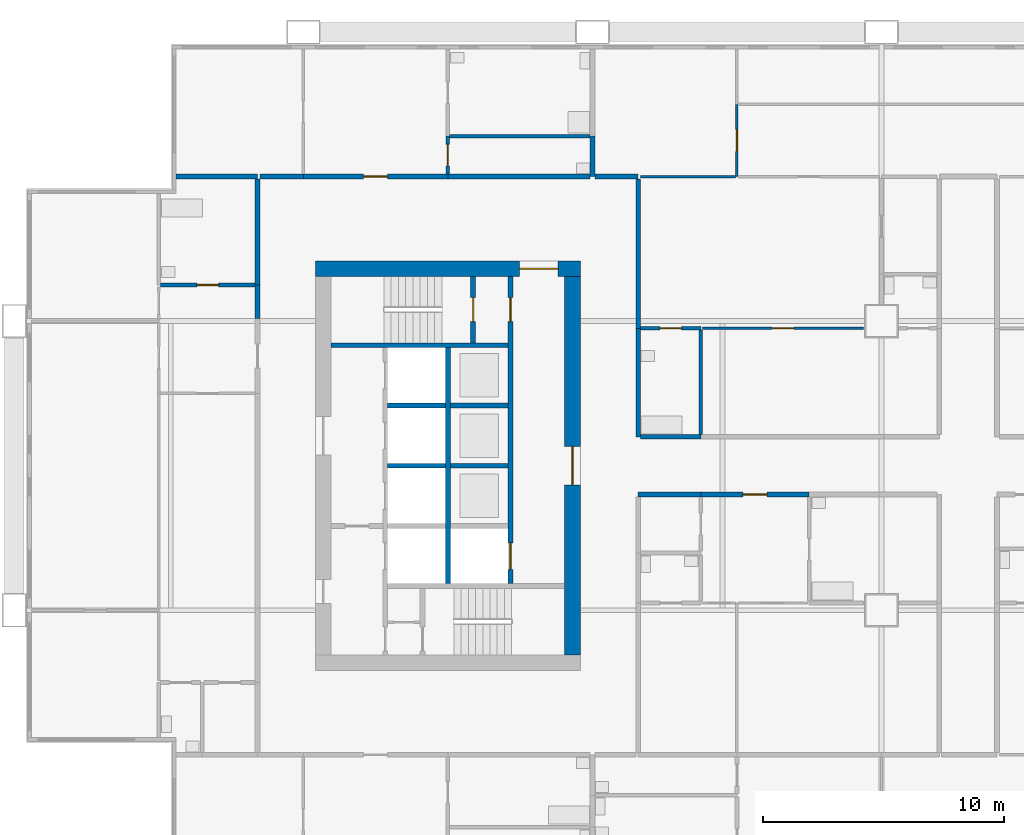
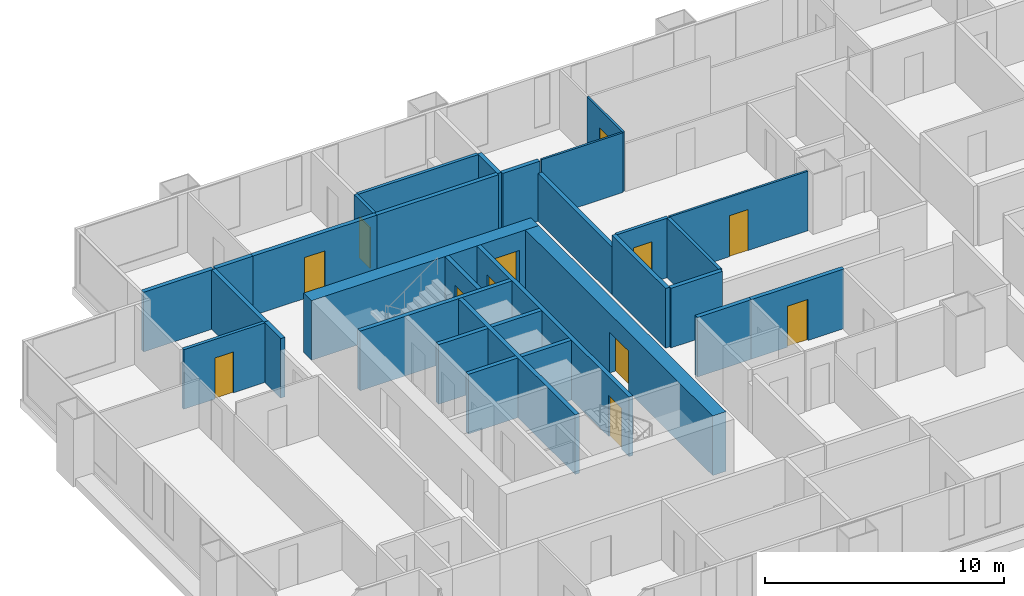
# One storey, part 4 of 13: 31 walls, 12 doors, 12 openings.
"""IFC4 building model written with IfcOpenShell, lengths in metres."""

from ifc_helpers import new_model, si_unit, direction, frame, frame_2d, origin, place, context, subcontext, project, spatial, rectangle, extrude, material, layer, layer_set, type_object, element, fill, save


model = new_model("IFC4")

# Units and contexts
model_context = context("Model", 3, precision=1e-05, world=origin(), true_north=direction((0.0, 1.0)))
body_context = subcontext(model_context, "Body", "Model", "MODEL_VIEW")
ifc_project = project(units=[si_unit("LENGTHUNIT", "METRE"), si_unit("AREAUNIT", "SQUARE_METRE"), si_unit("VOLUMEUNIT", "CUBIC_METRE"), si_unit("PLANEANGLEUNIT", "RADIAN"), si_unit("MASSUNIT", "GRAM", prefix="KILO")], contexts=[model_context])

# Site, building, storey
site_placement = place(None, origin())
site = spatial("IfcSite", under=ifc_project, at=site_placement, CompositionType="ELEMENT")
building_placement = place(site_placement, origin())
building = spatial("IfcBuilding", under=site, at=building_placement, Name="Kitamizu Gate Tower and Museum", CompositionType="ELEMENT")
storey_placement = place(building_placement, frame((0.0, 0.0, 144.89990234375)))
storey = spatial("IfcBuildingStorey", under=building, at=storey_placement, Name="L38", CompositionType="ELEMENT", Elevation=144.89990234375)

# Wall, opening, door
ifc_material_1 = material(Name="Concrete Fc60", Category="concrete")
ifc_layer_1 = layer(ifc_material_1, 0.64990234375)
ifc_layer_set_1 = layer_set([ifc_layer_1], Name="Concrete Fc60")
wall_type_1 = type_object("IfcWallType", Name="Core wall 650", PredefinedType="SHEAR", material=ifc_layer_set_1)
wall_1_placement = place(storey_placement, frame((12.5, 38.175048828125, 0.0), z_axis=(0.0, 0.0, 1.0), x_axis=(1.0, 0.0, 0.0)))
wall_1 = element("IfcWall", 1, at=wall_1_placement, inside=storey, type_object=wall_type_1, Name="Core wall WN", PredefinedType="SHEAR", context=body_context, shape_type="SweptSolid", body=[
    extrude(rectangle(XDim=11.0, YDim=0.64990234375, at=frame_2d((5.5, 0.0))), origin(), (0.0, 0.0, 1.0), 3.050048828125),
])
opening_1_placement = place(wall_1_placement, frame((8.47509765625, 0.0, 0.0)))
opening_1 = element("IfcOpeningElement", 2, at=opening_1_placement, cuts=wall_1, Name="Opening L38-063", PredefinedType="OPENING", context=body_context, shape_type="SweptSolid", body=[
    extrude(rectangle(XDim=1.60009765625, YDim=2.10009765625, at=frame_2d((0.800048828125, 1.050048828125))), frame((0.0, 0.3349609375, 0.0), z_axis=(0.0, -1.0, 0.0), x_axis=(1.0, 0.0, 0.0)), (0.0, 0.0, 1.0), 0.669921875),
])
ifc_material_2 = material(Name="Timber door set", Category="wood")
door_type_1 = type_object("IfcDoorType", Name="Entrance door 1600", OperationType="DOUBLE_DOOR_SINGLE_SWING", PredefinedType="DOOR", material=ifc_material_2)
door_1_placement = place(opening_1_placement, origin())
door_1 = element("IfcDoor", 3, at=door_1_placement, inside=storey, type_object=door_type_1, Name="Lobby door L38-063", OperationType="DOUBLE_DOOR_SINGLE_SWING", OverallHeight=2.10009765625, OverallWidth=1.60009765625, PredefinedType="DOOR", context=body_context, shape_type="SweptSolid", body=[
    extrude(rectangle(XDim=1.60009765625, YDim=2.10009765625, at=frame_2d((0.800048828125, 1.050048828125))), frame((0.0, 0.02490234375, 0.0), z_axis=(0.0, -1.0, 0.0), x_axis=(1.0, 0.0, 0.0)), (0.0, 0.0, 1.0), 0.050048828125),
])
fill(opening_1, door_1)

wall_2_placement = place(storey_placement, frame((23.175048828125, 22.14990234375, 0.0), z_axis=(0.0, 0.0, 1.0), x_axis=(0.0, 1.0, 0.0)))
wall_2 = element("IfcWall", 4, at=wall_2_placement, inside=storey, type_object=wall_type_1, Name="Core wall WARC", PredefinedType="SHEAR", context=body_context, shape_type="SweptSolid", body=[
    extrude(rectangle(XDim=15.7001953125, YDim=0.64990234375, at=frame_2d((7.85009765625, 0.0))), origin(), (0.0, 0.0, 1.0), 3.050048828125),
])
opening_2_placement = place(wall_2_placement, frame((7.050048828125, 0.0, 0.0)))
opening_2 = element("IfcOpeningElement", 5, at=opening_2_placement, cuts=wall_2, Name="Opening L38-064", PredefinedType="OPENING", context=body_context, shape_type="SweptSolid", body=[
    extrude(rectangle(XDim=1.60009765625, YDim=2.10009765625, at=frame_2d((0.800048828125, 1.050048828125))), frame((0.0, 0.3349609375, 0.0), z_axis=(0.0, -1.0, 0.0), x_axis=(1.0, 0.0, 0.0)), (0.0, 0.0, 1.0), 0.669921875),
])
door_2_placement = place(opening_2_placement, origin())
door_2 = element("IfcDoor", 6, at=door_2_placement, inside=storey, type_object=door_type_1, Name="Lobby door L38-064", OperationType="DOUBLE_DOOR_SINGLE_SWING", OverallHeight=2.10009765625, OverallWidth=1.60009765625, PredefinedType="DOOR", context=body_context, shape_type="SweptSolid", body=[
    extrude(rectangle(XDim=1.60009765625, YDim=2.10009765625, at=frame_2d((0.800048828125, 1.050048828125))), frame((0.0, 0.02490234375, 0.0), z_axis=(0.0, -1.0, 0.0), x_axis=(1.0, 0.0, 0.0)), (0.0, 0.0, 1.0), 0.050048828125),
])
fill(opening_2, door_2)

ifc_material_3 = material(Name="Gypsum board on galvanised stud")
ifc_layer_2 = layer(ifc_material_3, 0.10009765625)
ifc_layer_set_2 = layer_set([ifc_layer_2], Name="Gypsum board on galvanised stud")
wall_type_2 = type_object("IfcWallType", Name="Partition 100 NOT RATED", PredefinedType="PARTITIONING", material=ifc_layer_set_2)
wall_3_placement = place(storey_placement, frame((30.0, 42.0, 0.0), z_axis=(0.0, 0.0, 1.0), x_axis=(0.0, 1.0, 0.0)))
wall_3 = element("IfcWall", 7, at=wall_3_placement, inside=storey, type_object=wall_type_2, Name="Partition L38-113", PredefinedType="PARTITIONING", context=body_context, shape_type="SweptSolid", body=[
    extrude(rectangle(XDim=3.0, YDim=0.10009765625, at=frame_2d((1.5, 0.0))), origin(), (0.0, 0.0, 1.0), 3.050048828125),
])
opening_3_placement = place(wall_3_placement, frame((1.050048828125, 0.0, 0.0)))
opening_3 = element("IfcOpeningElement", 8, at=opening_3_placement, cuts=wall_3, Name="Opening L38-048", PredefinedType="OPENING", context=body_context, shape_type="SweptSolid", body=[
    extrude(rectangle(XDim=0.89990234375, YDim=2.10009765625, at=frame_2d((0.449951171875, 1.050048828125))), frame((0.0, 0.06005859375, 0.0), z_axis=(0.0, -1.0, 0.0), x_axis=(1.0, 0.0, 0.0)), (0.0, 0.0, 1.0), 0.1201171875),
])
ifc_material_4 = material(Name="Timber door set", Category="wood")
door_type_2 = type_object("IfcDoorType", Name="Room door 900", OperationType="NOTDEFINED", PredefinedType="DOOR", material=ifc_material_4)
door_3_placement = place(opening_3_placement, origin())
door_3 = element("IfcDoor", 9, at=door_3_placement, inside=storey, type_object=door_type_2, Name="Door L38-048", OperationType="SINGLE_SWING_RIGHT", OverallHeight=2.10009765625, OverallWidth=0.89990234375, PredefinedType="DOOR", context=body_context, shape_type="SweptSolid", body=[
    extrude(rectangle(XDim=0.89990234375, YDim=2.10009765625, at=frame_2d((0.449951171875, 1.050048828125))), frame((0.0, 0.02490234375, 0.0), z_axis=(0.0, -1.0, 0.0), x_axis=(1.0, 0.0, 0.0)), (0.0, 0.0, 1.0), 0.050048828125),
])
fill(opening_3, door_3)

# Wall
wall_4_placement = place(storey_placement, frame((26.0, 42.0, 0.0), z_axis=(0.0, 0.0, 1.0), x_axis=(1.0, 0.0, 0.0)))
element("IfcWall", 10, at=wall_4_placement, inside=storey, type_object=wall_type_2, Name="Partition L38-115", PredefinedType="PARTITIONING", context=body_context, shape_type="SweptSolid", body=[
    extrude(rectangle(XDim=3.949951171875, YDim=0.10009765625, at=frame_2d((1.97509765625, 0.0))), origin(), (0.0, 0.0, 1.0), 3.050048828125),
])

# Wall, opening, door
wall_5_placement = place(storey_placement, frame((28.574951171875, 35.699951171875, 0.0), z_axis=(0.0, 0.0, 1.0), x_axis=(1.0, 0.0, 0.0)))
wall_5 = element("IfcWall", 11, at=wall_5_placement, inside=storey, type_object=wall_type_2, Name="Partition L38-134", PredefinedType="PARTITIONING", context=body_context, shape_type="SweptSolid", body=[
    extrude(rectangle(XDim=6.675048828125, YDim=0.10009765625, at=frame_2d((3.33740234375, 0.0))), origin(), (0.0, 0.0, 1.0), 3.050048828125),
])
opening_4_placement = place(wall_5_placement, frame((2.887451171875, 0.0, 0.0)))
opening_4 = element("IfcOpeningElement", 12, at=opening_4_placement, cuts=wall_5, Name="Opening L38-052", PredefinedType="OPENING", context=body_context, shape_type="SweptSolid", body=[
    extrude(rectangle(XDim=0.89990234375, YDim=2.10009765625, at=frame_2d((0.449951171875, 1.050048828125))), frame((0.0, 0.06005859375, 0.0), z_axis=(0.0, -1.0, 0.0), x_axis=(1.0, 0.0, 0.0)), (0.0, 0.0, 1.0), 0.1201171875),
])
door_4_placement = place(opening_4_placement, frame((0.89990234375, 0.0, 0.0), x_axis=(-1.0, 0.0, 0.0)))
door_4 = element("IfcDoor", 13, at=door_4_placement, inside=storey, type_object=door_type_2, Name="Door L38-052", OperationType="SINGLE_SWING_RIGHT", OverallHeight=2.10009765625, OverallWidth=0.89990234375, PredefinedType="DOOR", context=body_context, shape_type="SweptSolid", body=[
    extrude(rectangle(XDim=0.89990234375, YDim=2.10009765625, at=frame_2d((0.449951171875, 1.050048828125))), frame((0.0, 0.02490234375, 0.0), z_axis=(0.0, -1.0, 0.0), x_axis=(1.0, 0.0, 0.0)), (0.0, 0.0, 1.0), 0.050048828125),
])
fill(opening_4, door_4)

ifc_material_5 = material(Name="Gypsum board on galvanised stud")
ifc_layer_3 = layer(ifc_material_5, 0.14990234375)
ifc_layer_set_3 = layer_set([ifc_layer_3], Name="Gypsum board on galvanised stud")
wall_type_3 = type_object("IfcWallType", Name="Partition 150", PredefinedType="PARTITIONING", material=ifc_layer_set_3)
wall_6_placement = place(storey_placement, frame((10.0, 37.5, 0.0), z_axis=(0.0, 0.0, 1.0), x_axis=(-1.0, 0.0, 0.0)))
wall_6 = element("IfcWall", 14, at=wall_6_placement, inside=storey, type_object=wall_type_3, Name="Partition L38-028", PredefinedType="PARTITIONING", context=body_context, shape_type="SweptSolid", body=[
    extrude(rectangle(XDim=3.925048828125, YDim=0.14990234375, at=frame_2d((1.96240234375, 0.0))), origin(), (0.0, 0.0, 1.0), 3.050048828125),
])
opening_5_placement = place(wall_6_placement, frame((1.512451171875, 0.0, 0.0)))
opening_5 = element("IfcOpeningElement", 15, at=opening_5_placement, cuts=wall_6, Name="Opening L38-012", PredefinedType="OPENING", context=body_context, shape_type="SweptSolid", body=[
    extrude(rectangle(XDim=0.89990234375, YDim=2.10009765625, at=frame_2d((0.449951171875, 1.050048828125))), frame((0.0, 0.0849609375, 0.0), z_axis=(0.0, -1.0, 0.0), x_axis=(1.0, 0.0, 0.0)), (0.0, 0.0, 1.0), 0.169921875),
])
ifc_material_6 = material(Name="Timber door set", Category="wood")
door_type_3 = type_object("IfcDoorType", Name="Bathroom door 900", OperationType="NOTDEFINED", PredefinedType="DOOR", material=ifc_material_6)
door_5_placement = place(opening_5_placement, frame((0.89990234375, 0.0, 0.0), x_axis=(-1.0, 0.0, 0.0)))
door_5 = element("IfcDoor", 16, at=door_5_placement, inside=storey, type_object=door_type_3, Name="Bathroom door L38-012", OperationType="SINGLE_SWING_LEFT", OverallHeight=2.10009765625, OverallWidth=0.89990234375, PredefinedType="DOOR", context=body_context, shape_type="SweptSolid", body=[
    extrude(rectangle(XDim=0.89990234375, YDim=2.10009765625, at=frame_2d((0.449951171875, 1.050048828125))), frame((0.0, 0.02490234375, 0.0), z_axis=(0.0, -1.0, 0.0), x_axis=(1.0, 0.0, 0.0)), (0.0, 0.0, 1.0), 0.050048828125),
])
fill(opening_5, door_5)

wall_7_placement = place(storey_placement, frame((18.0, 42.10009765625, 0.0), z_axis=(0.0, 0.0, 1.0), x_axis=(0.0, 1.0, 0.0)))
wall_7 = element("IfcWall", 17, at=wall_7_placement, inside=storey, type_object=wall_type_3, Name="Partition L38-107", PredefinedType="PARTITIONING", context=body_context, shape_type="SweptSolid", body=[
    extrude(rectangle(XDim=1.579833984375, YDim=0.14990234375, at=frame_2d((0.7900390625, 0.0))), origin(), (0.0, 0.0, 1.0), 3.050048828125),
])
opening_6_placement = place(wall_7_placement, frame((0.340087890625, 0.0, 0.0)))
opening_6 = element("IfcOpeningElement", 18, at=opening_6_placement, cuts=wall_7, Name="Opening L38-041", PredefinedType="OPENING", context=body_context, shape_type="SweptSolid", body=[
    extrude(rectangle(XDim=0.89990234375, YDim=2.10009765625, at=frame_2d((0.449951171875, 1.050048828125))), frame((0.0, 0.0849609375, 0.0), z_axis=(0.0, -1.0, 0.0), x_axis=(1.0, 0.0, 0.0)), (0.0, 0.0, 1.0), 0.169921875),
])
door_6_placement = place(opening_6_placement, frame((0.89990234375, 0.0, 0.0), x_axis=(-1.0, 0.0, 0.0)))
door_6 = element("IfcDoor", 19, at=door_6_placement, inside=storey, type_object=door_type_3, Name="Bathroom door L38-041", OperationType="SINGLE_SWING_LEFT", OverallHeight=2.10009765625, OverallWidth=0.89990234375, PredefinedType="DOOR", context=body_context, shape_type="SweptSolid", body=[
    extrude(rectangle(XDim=0.89990234375, YDim=2.10009765625, at=frame_2d((0.449951171875, 1.050048828125))), frame((0.0, 0.02490234375, 0.0), z_axis=(0.0, -1.0, 0.0), x_axis=(1.0, 0.0, 0.0)), (0.0, 0.0, 1.0), 0.050048828125),
])
fill(opening_6, door_6)

# Wall
wall_8_placement = place(storey_placement, frame((18.074951171875, 43.679931640625, 0.0), z_axis=(0.0, 0.0, 1.0), x_axis=(1.0, 0.0, 0.0)))
element("IfcWall", 20, at=wall_8_placement, inside=storey, type_object=wall_type_3, Name="Partition L38-109", PredefinedType="PARTITIONING", context=body_context, shape_type="SweptSolid", body=[
    extrude(rectangle(XDim=5.824951171875, YDim=0.14990234375, at=frame_2d((2.91259765625, 0.0))), origin(), (0.0, 0.0, 1.0), 3.050048828125),
])

# Wall, opening, door
wall_9_placement = place(storey_placement, frame((26.0, 35.699951171875, 0.0), z_axis=(0.0, 0.0, 1.0), x_axis=(1.0, 0.0, 0.0)))
wall_9 = element("IfcWall", 21, at=wall_9_placement, inside=storey, type_object=wall_type_3, Name="Partition L38-133", PredefinedType="PARTITIONING", context=body_context, shape_type="SweptSolid", body=[
    extrude(rectangle(XDim=2.5, YDim=0.14990234375, at=frame_2d((1.25, 0.0))), origin(), (0.0, 0.0, 1.0), 3.050048828125),
])
opening_7_placement = place(wall_9_placement, frame((0.800048828125, 0.0, 0.0)))
opening_7 = element("IfcOpeningElement", 22, at=opening_7_placement, cuts=wall_9, Name="Opening L38-051", PredefinedType="OPENING", context=body_context, shape_type="SweptSolid", body=[
    extrude(rectangle(XDim=0.89990234375, YDim=2.10009765625, at=frame_2d((0.449951171875, 1.050048828125))), frame((0.0, 0.0849609375, 0.0), z_axis=(0.0, -1.0, 0.0), x_axis=(1.0, 0.0, 0.0)), (0.0, 0.0, 1.0), 0.169921875),
])
door_7_placement = place(opening_7_placement, frame((0.89990234375, 0.0, 0.0), x_axis=(-1.0, 0.0, 0.0)))
door_7 = element("IfcDoor", 23, at=door_7_placement, inside=storey, type_object=door_type_3, Name="Bathroom door L38-051", OperationType="SINGLE_SWING_LEFT", OverallHeight=2.10009765625, OverallWidth=0.89990234375, PredefinedType="DOOR", context=body_context, shape_type="SweptSolid", body=[
    extrude(rectangle(XDim=0.89990234375, YDim=2.10009765625, at=frame_2d((0.449951171875, 1.050048828125))), frame((0.0, 0.02490234375, 0.0), z_axis=(0.0, -1.0, 0.0), x_axis=(1.0, 0.0, 0.0)), (0.0, 0.0, 1.0), 0.050048828125),
])
fill(opening_7, door_7)

# Walls
wall_10_placement = place(storey_placement, frame((28.5, 31.300048828125, 0.0), z_axis=(0.0, 0.0, 1.0), x_axis=(0.0, 1.0, 0.0)))
element("IfcWall", 24, at=wall_10_placement, inside=storey, type_object=wall_type_3, Name="Partition L38-141", PredefinedType="PARTITIONING", context=body_context, shape_type="SweptSolid", body=[
    extrude(rectangle(XDim=4.324951171875, YDim=0.14990234375, at=frame_2d((2.16259765625, 0.0))), origin(), (0.0, 0.0, 1.0), 3.050048828125),
])
ifc_material_7 = material(Name="Gypsum board on galvanised stud")
ifc_layer_4 = layer(ifc_material_7, 0.199951171875)
ifc_layer_set_4 = layer_set([ifc_layer_4], Name="Gypsum board on galvanised stud")
wall_type_4 = type_object("IfcWallType", Name="Partition 200", PredefinedType="PARTITIONING", material=ifc_layer_set_4)
wall_11_placement = place(storey_placement, frame((10.10009765625, 36.10009765625, 0.0), z_axis=(0.0, 0.0, 1.0), x_axis=(0.0, 1.0, 0.0)))
element("IfcWall", 25, at=wall_11_placement, inside=storey, type_object=wall_type_4, Name="Partition L38-030", PredefinedType="PARTITIONING", context=body_context, shape_type="SweptSolid", body=[
    extrude(rectangle(XDim=1.39990234375, YDim=0.199951171875, at=frame_2d((0.699951171875, 0.0))), origin(), (0.0, 0.0, 1.0), 3.050048828125),
])
wall_12_placement = place(storey_placement, frame((10.10009765625, 42.0, 0.0), z_axis=(0.0, 0.0, 1.0), x_axis=(-1.0, 0.0, 0.0)))
element("IfcWall", 26, at=wall_12_placement, inside=storey, type_object=wall_type_4, Name="Partition L38-031", PredefinedType="PARTITIONING", context=body_context, shape_type="SweptSolid", body=[
    extrude(rectangle(XDim=3.380126953125, YDim=0.199951171875, at=frame_2d((1.68994140625, 0.0))), origin(), (0.0, 0.0, 1.0), 3.050048828125),
])
wall_13_placement = place(storey_placement, frame((10.10009765625, 37.5, 0.0), z_axis=(0.0, 0.0, 1.0), x_axis=(0.0, 1.0, 0.0)))
element("IfcWall", 27, at=wall_13_placement, inside=storey, type_object=wall_type_4, Name="Partition L38-032", PredefinedType="PARTITIONING", context=body_context, shape_type="SweptSolid", body=[
    extrude(rectangle(XDim=4.39990234375, YDim=0.199951171875, at=frame_2d((2.199951171875, 0.0))), origin(), (0.0, 0.0, 1.0), 3.050048828125),
])
wall_14_placement = place(storey_placement, frame((28.5, 28.800048828125, 0.0), z_axis=(0.0, 0.0, 1.0), x_axis=(-1.0, 0.0, 0.0)))
element("IfcWall", 28, at=wall_14_placement, inside=storey, type_object=wall_type_4, Name="Partition L38-049", PredefinedType="PARTITIONING", context=body_context, shape_type="SweptSolid", body=[
    extrude(rectangle(XDim=2.60009765625, YDim=0.199951171875, at=frame_2d((1.300048828125, 0.0))), origin(), (0.0, 0.0, 1.0), 3.050048828125),
])

# Wall, opening, door
wall_15_placement = place(storey_placement, frame((33.0, 28.800048828125, 0.0), z_axis=(0.0, 0.0, 1.0), x_axis=(-1.0, 0.0, 0.0)))
wall_15 = element("IfcWall", 29, at=wall_15_placement, inside=storey, type_object=wall_type_4, Name="Partition L38-052", PredefinedType="PARTITIONING", context=body_context, shape_type="SweptSolid", body=[
    extrude(rectangle(XDim=4.5, YDim=0.199951171875, at=frame_2d((2.25, 0.0))), origin(), (0.0, 0.0, 1.0), 3.050048828125),
])
opening_8_placement = place(wall_15_placement, frame((1.75, 0.0, 0.0)))
opening_8 = element("IfcOpeningElement", 30, at=opening_8_placement, cuts=wall_15, Name="Opening L38-013", PredefinedType="OPENING", context=body_context, shape_type="SweptSolid", body=[
    extrude(rectangle(XDim=1.0, YDim=2.10009765625, at=frame_2d((0.5, 1.050048828125))), frame((0.0, 0.10986328125, 0.0), z_axis=(0.0, -1.0, 0.0), x_axis=(1.0, 0.0, 0.0)), (0.0, 0.0, 1.0), 0.219970703125),
])
ifc_material_8 = material(Name="Timber door set", Category="wood")
door_type_4 = type_object("IfcDoorType", Name="Flat entrance door 1000", OperationType="NOTDEFINED", PredefinedType="DOOR", material=ifc_material_8)
door_8_placement = place(opening_8_placement, origin())
door_8 = element("IfcDoor", 31, at=door_8_placement, inside=storey, type_object=door_type_4, Name="Flat entrance door L38-013", OperationType="SINGLE_SWING_LEFT", OverallHeight=2.10009765625, OverallWidth=1.0, PredefinedType="DOOR", context=body_context, shape_type="SweptSolid", body=[
    extrude(rectangle(XDim=1.0, YDim=2.10009765625, at=frame_2d((0.5, 1.050048828125))), frame((0.0, 0.02490234375, 0.0), z_axis=(0.0, -1.0, 0.0), x_axis=(1.0, 0.0, 0.0)), (0.0, 0.0, 1.0), 0.050048828125),
])
fill(opening_8, door_8)

# Wall
wall_16_placement = place(storey_placement, frame((10.199951171875, 42.0, 0.0), z_axis=(0.0, 0.0, 1.0), x_axis=(1.0, 0.0, 0.0)))
element("IfcWall", 32, at=wall_16_placement, inside=storey, type_object=wall_type_4, Name="Partition L38-105", PredefinedType="PARTITIONING", context=body_context, shape_type="SweptSolid", body=[
    extrude(rectangle(XDim=1.800048828125, YDim=0.199951171875, at=frame_2d((0.89990234375, 0.0))), origin(), (0.0, 0.0, 1.0), 3.050048828125),
])

# Wall, opening, door
wall_17_placement = place(storey_placement, frame((12.0, 42.0, 0.0), z_axis=(0.0, 0.0, 1.0), x_axis=(1.0, 0.0, 0.0)))
wall_17 = element("IfcWall", 33, at=wall_17_placement, inside=storey, type_object=wall_type_4, Name="Partition L38-108", PredefinedType="PARTITIONING", context=body_context, shape_type="SweptSolid", body=[
    extrude(rectangle(XDim=6.0, YDim=0.199951171875, at=frame_2d((3.0, 0.0))), origin(), (0.0, 0.0, 1.0), 3.050048828125),
])
opening_9_placement = place(wall_17_placement, frame((2.5, 0.0, 0.0)))
opening_9 = element("IfcOpeningElement", 34, at=opening_9_placement, cuts=wall_17, Name="Opening L38-038", PredefinedType="OPENING", context=body_context, shape_type="SweptSolid", body=[
    extrude(rectangle(XDim=1.0, YDim=2.10009765625, at=frame_2d((0.5, 1.050048828125))), frame((0.0, 0.10986328125, 0.0), z_axis=(0.0, -1.0, 0.0), x_axis=(1.0, 0.0, 0.0)), (0.0, 0.0, 1.0), 0.219970703125),
])
door_9_placement = place(opening_9_placement, origin())
door_9 = element("IfcDoor", 35, at=door_9_placement, inside=storey, type_object=door_type_4, Name="Flat entrance door L38-038", OperationType="SINGLE_SWING_LEFT", OverallHeight=2.10009765625, OverallWidth=1.0, PredefinedType="DOOR", context=body_context, shape_type="SweptSolid", body=[
    extrude(rectangle(XDim=1.0, YDim=2.10009765625, at=frame_2d((0.5, 1.050048828125))), frame((0.0, 0.02490234375, 0.0), z_axis=(0.0, -1.0, 0.0), x_axis=(1.0, 0.0, 0.0)), (0.0, 0.0, 1.0), 0.050048828125),
])
fill(opening_9, door_9)

# Walls
wall_18_placement = place(storey_placement, frame((24.0, 42.0, 0.0), z_axis=(0.0, 0.0, 1.0), x_axis=(0.0, 1.0, 0.0)))
element("IfcWall", 36, at=wall_18_placement, inside=storey, type_object=wall_type_4, Name="Partition L38-111", PredefinedType="PARTITIONING", context=body_context, shape_type="SweptSolid", body=[
    extrude(rectangle(XDim=1.679931640625, YDim=0.199951171875, at=frame_2d((0.83984375, 0.0))), origin(), (0.0, 0.0, 1.0), 3.050048828125),
])
wall_19_placement = place(storey_placement, frame((18.0, 42.0, 0.0), z_axis=(0.0, 0.0, 1.0), x_axis=(1.0, 0.0, 0.0)))
element("IfcWall", 37, at=wall_19_placement, inside=storey, type_object=wall_type_4, Name="Partition L38-112", PredefinedType="PARTITIONING", context=body_context, shape_type="SweptSolid", body=[
    extrude(rectangle(XDim=5.89990234375, YDim=0.199951171875, at=frame_2d((2.949951171875, 0.0))), origin(), (0.0, 0.0, 1.0), 3.050048828125),
])
wall_20_placement = place(storey_placement, frame((24.10009765625, 42.0, 0.0), z_axis=(0.0, 0.0, 1.0), x_axis=(1.0, 0.0, 0.0)))
element("IfcWall", 38, at=wall_20_placement, inside=storey, type_object=wall_type_4, Name="Partition L38-116", PredefinedType="PARTITIONING", context=body_context, shape_type="SweptSolid", body=[
    extrude(rectangle(XDim=1.7998046875, YDim=0.199951171875, at=frame_2d((0.89990234375, 0.0))), origin(), (0.0, 0.0, 1.0), 3.050048828125),
])
wall_21_placement = place(storey_placement, frame((25.89990234375, 41.89990234375, 0.0), z_axis=(0.0, 0.0, 1.0), x_axis=(0.0, -1.0, 0.0)))
element("IfcWall", 39, at=wall_21_placement, inside=storey, type_object=wall_type_4, Name="Partition L38-135", PredefinedType="PARTITIONING", context=body_context, shape_type="SweptSolid", body=[
    extrude(rectangle(XDim=6.199951171875, YDim=0.199951171875, at=frame_2d((3.10009765625, 0.0))), origin(), (0.0, 0.0, 1.0), 2.4501953125),
])
wall_22_placement = place(storey_placement, frame((25.89990234375, 35.699951171875, 0.0), z_axis=(0.0, 0.0, 1.0), x_axis=(0.0, -1.0, 0.0)))
element("IfcWall", 40, at=wall_22_placement, inside=storey, type_object=wall_type_4, Name="Partition L38-142", PredefinedType="PARTITIONING", context=body_context, shape_type="SweptSolid", body=[
    extrude(rectangle(XDim=4.5, YDim=0.199951171875, at=frame_2d((2.25, 0.0))), origin(), (0.0, 0.0, 1.0), 3.050048828125),
])
wall_23_placement = place(storey_placement, frame((26.0, 31.199951171875, 0.0), z_axis=(0.0, 0.0, 1.0), x_axis=(1.0, 0.0, 0.0)))
element("IfcWall", 41, at=wall_23_placement, inside=storey, type_object=wall_type_4, Name="Partition L38-143", PredefinedType="PARTITIONING", context=body_context, shape_type="SweptSolid", body=[
    extrude(rectangle(XDim=2.5, YDim=0.199951171875, at=frame_2d((1.25, 0.0))), origin(), (0.0, 0.0, 1.0), 3.050048828125),
])

# Wall, openings, doors
ifc_material_9 = material(Name="Concrete Fc42", Category="concrete")
ifc_layer_5 = layer(ifc_material_9, 0.199951171875)
ifc_layer_set_5 = layer_set([ifc_layer_5], Name="Concrete Fc42")
wall_type_5 = type_object("IfcWallType", Name="Shaft wall 200", PredefinedType="SOLIDWALL", material=ifc_layer_set_5)
wall_24_placement = place(storey_placement, frame((20.60009765625, 25.10009765625, 0.0), z_axis=(0.0, 0.0, 1.0), x_axis=(0.0, 1.0, 0.0)))
wall_24 = element("IfcWall", 42, at=wall_24_placement, inside=storey, type_object=wall_type_5, Name="Shaft wall WEAST", PredefinedType="SOLIDWALL", context=body_context, shape_type="SweptSolid", body=[
    extrude(rectangle(XDim=12.75, YDim=0.199951171875, at=frame_2d((6.375, 0.0))), origin(), (0.0, 0.0, 1.0), 3.050048828125),
])
opening_10_placement = place(wall_24_placement, frame((0.60009765625, 0.0, 0.0)))
opening_10 = element("IfcOpeningElement", 43, at=opening_10_placement, cuts=wall_24, Name="Opening LD", PredefinedType="OPENING", context=body_context, shape_type="SweptSolid", body=[
    extrude(rectangle(XDim=1.10009765625, YDim=2.10009765625, at=frame_2d((0.550048828125, 1.050048828125))), frame((0.0, 0.10986328125, 0.0), z_axis=(0.0, -1.0, 0.0), x_axis=(1.0, 0.0, 0.0)), (0.0, 0.0, 1.0), 0.219970703125),
])
opening_11_placement = place(wall_24_placement, frame((10.875, 0.0, 0.0)))
opening_11 = element("IfcOpeningElement", 44, at=opening_11_placement, cuts=wall_24, Name="Opening L38-057", PredefinedType="OPENING", context=body_context, shape_type="SweptSolid", body=[
    extrude(rectangle(XDim=1.0, YDim=2.10009765625, at=frame_2d((0.5, 1.050048828125))), frame((0.0, 0.10986328125, 0.0), z_axis=(0.0, -1.0, 0.0), x_axis=(1.0, 0.0, 0.0)), (0.0, 0.0, 1.0), 0.219970703125),
])
ifc_material_10 = material(Name="Hollow metal door set")
door_type_5 = type_object("IfcDoorType", Name="Fire door 1000", OperationType="NOTDEFINED", PredefinedType="DOOR", material=ifc_material_10)
door_10_placement = place(opening_11_placement, origin())
door_10 = element("IfcDoor", 45, at=door_10_placement, inside=storey, type_object=door_type_5, Name="Stair lobby door L38-057", OperationType="SINGLE_SWING_LEFT", OverallHeight=2.10009765625, OverallWidth=1.0, PredefinedType="DOOR", context=body_context, shape_type="SweptSolid", body=[
    extrude(rectangle(XDim=1.0, YDim=2.10009765625, at=frame_2d((0.5, 1.050048828125))), frame((0.0, 0.02490234375, 0.0), z_axis=(0.0, -1.0, 0.0), x_axis=(1.0, 0.0, 0.0)), (0.0, 0.0, 1.0), 0.050048828125),
])
fill(opening_11, door_10)
ifc_material_11 = material(Name="Hollow metal door set")
door_type_6 = type_object("IfcDoorType", Name="Landing door 1100", OperationType="SLIDING_TO_LEFT", PredefinedType="DOOR", material=ifc_material_11)
door_11_placement = place(opening_10_placement, origin())
door_11 = element("IfcDoor", 46, at=door_11_placement, inside=storey, type_object=door_type_6, Name="Landing door WSV1", OperationType="SLIDING_TO_LEFT", OverallHeight=2.10009765625, OverallWidth=1.10009765625, PredefinedType="DOOR", context=body_context, shape_type="SweptSolid", body=[
    extrude(rectangle(XDim=1.10009765625, YDim=2.10009765625, at=frame_2d((0.550048828125, 1.050048828125))), frame((0.0, 0.02490234375, 0.0), z_axis=(0.0, -1.0, 0.0), x_axis=(1.0, 0.0, 0.0)), (0.0, 0.0, 1.0), 0.050048828125),
])
fill(opening_10, door_11)

# Walls
wall_25_placement = place(storey_placement, frame((18.0, 25.10009765625, 0.0), z_axis=(0.0, 0.0, 1.0), x_axis=(0.0, 1.0, 0.0)))
element("IfcWall", 47, at=wall_25_placement, inside=storey, type_object=wall_type_5, Name="Shaft wall WMID", PredefinedType="SOLIDWALL", context=body_context, shape_type="SweptSolid", body=[
    extrude(rectangle(XDim=9.7998046875, YDim=0.199951171875, at=frame_2d((4.89990234375, 0.0))), origin(), (0.0, 0.0, 1.0), 3.050048828125),
])
wall_26_placement = place(storey_placement, frame((13.14990234375, 35.0, 0.0), z_axis=(0.0, 0.0, 1.0), x_axis=(1.0, 0.0, 0.0)))
element("IfcWall", 48, at=wall_26_placement, inside=storey, type_object=wall_type_5, Name="Shaft wall WNB", PredefinedType="SOLIDWALL", context=body_context, shape_type="SweptSolid", body=[
    extrude(rectangle(XDim=7.35009765625, YDim=0.199951171875, at=frame_2d((3.675048828125, 0.0))), origin(), (0.0, 0.0, 1.0), 3.050048828125),
])

# Wall, opening, door
wall_27_placement = place(storey_placement, frame((19.050048828125, 35.10009765625, 0.0), z_axis=(0.0, 0.0, 1.0), x_axis=(0.0, 1.0, 0.0)))
wall_27 = element("IfcWall", 49, at=wall_27_placement, inside=storey, type_object=wall_type_5, Name="Shaft wall WNZ", PredefinedType="SOLIDWALL", context=body_context, shape_type="SweptSolid", body=[
    extrude(rectangle(XDim=2.75, YDim=0.199951171875, at=frame_2d((1.375, 0.0))), origin(), (0.0, 0.0, 1.0), 3.050048828125),
])
opening_12_placement = place(wall_27_placement, frame((0.875, 0.0, 0.0)))
opening_12 = element("IfcOpeningElement", 50, at=opening_12_placement, cuts=wall_27, Name="Opening L38-058", PredefinedType="OPENING", context=body_context, shape_type="SweptSolid", body=[
    extrude(rectangle(XDim=1.0, YDim=2.10009765625, at=frame_2d((0.5, 1.050048828125))), frame((0.0, 0.10986328125, 0.0), z_axis=(0.0, -1.0, 0.0), x_axis=(1.0, 0.0, 0.0)), (0.0, 0.0, 1.0), 0.219970703125),
])
door_12_placement = place(opening_12_placement, origin())
door_12 = element("IfcDoor", 51, at=door_12_placement, inside=storey, type_object=door_type_5, Name="Stair door L38-058", OperationType="SINGLE_SWING_RIGHT", OverallHeight=2.10009765625, OverallWidth=1.0, PredefinedType="DOOR", context=body_context, shape_type="SweptSolid", body=[
    extrude(rectangle(XDim=1.0, YDim=2.10009765625, at=frame_2d((0.5, 1.050048828125))), frame((0.0, 0.02490234375, 0.0), z_axis=(0.0, -1.0, 0.0), x_axis=(1.0, 0.0, 0.0)), (0.0, 0.0, 1.0), 0.050048828125),
])
fill(opening_12, door_12)

# Walls
for number, where, z_axis, x_axis, name in (
    (52, (15.5, 30.0, 0.0), (0.0, 0.0, 1.0), (1.0, 0.0, 0.0), "Shaft wall WDVW1"),
    (53, (15.5, 32.5, 0.0), (0.0, 0.0, 1.0), (1.0, 0.0, 0.0), "Shaft wall WDVW2"),
    (54, (18.10009765625, 30.0, 0.0), (0.0, 0.0, 1.0), (1.0, 0.0, 0.0), "Shaft wall WDVE1"),
    (55, (18.10009765625, 32.5, 0.0), (0.0, 0.0, 1.0), (1.0, 0.0, 0.0), "Shaft wall WDVE2"),
):
    element("IfcWall", number, at=place(storey_placement, frame(where, z_axis=z_axis, x_axis=x_axis)), inside=storey, type_object=wall_type_5, Name=name, PredefinedType="SOLIDWALL", context=body_context, shape_type="SweptSolid", body=[
        extrude(rectangle(XDim=2.39990234375, YDim=0.199951171875, at=frame_2d((1.199951171875, 0.0))), origin(), (0.0, 0.0, 1.0), 3.050048828125),
    ])

save(model, "model.ifc")
